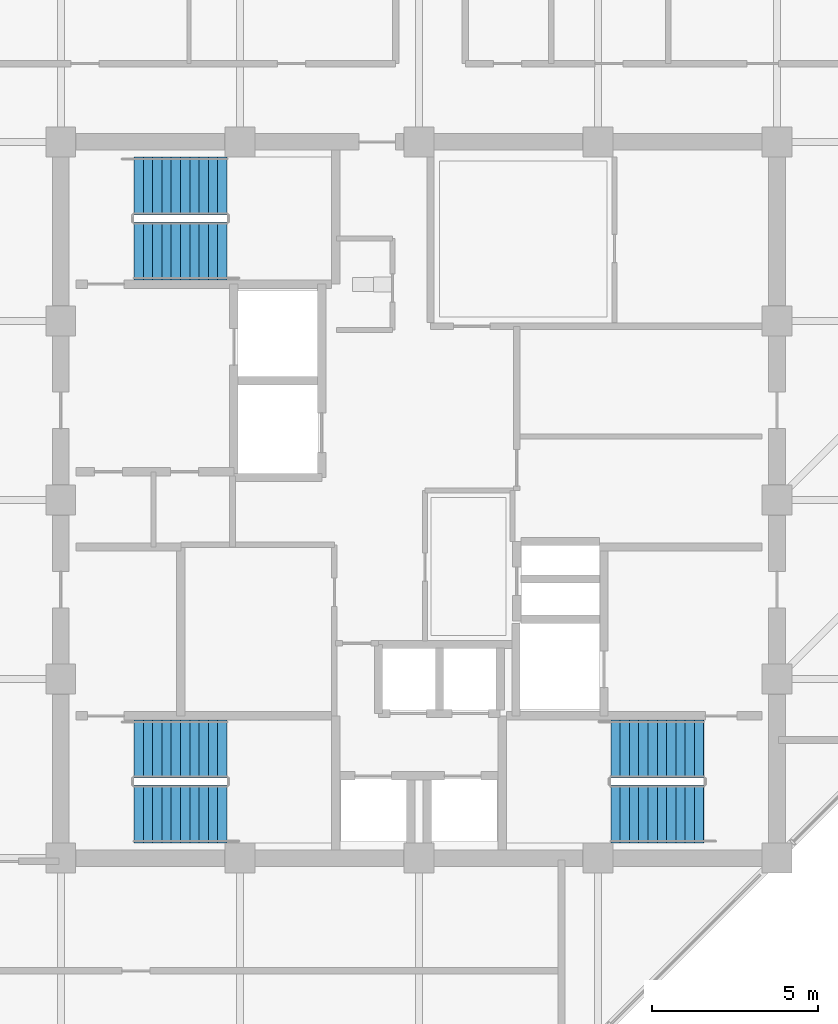
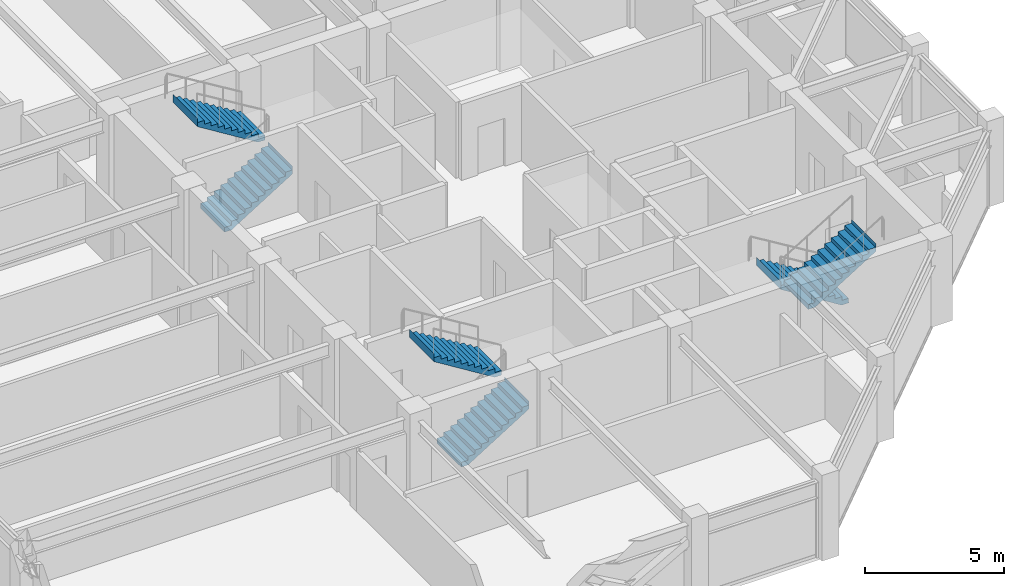
# One storey, part 29 of 31: 6 stair flights, 3 elements without a shape of their own.
"""IFC4 building model written with IfcOpenShell, lengths in metres."""

import ifcopenshell
import ifcopenshell.guid

model = None  # the IFC model being written
_history = None  # IfcOwnerHistory: only IFC2X3 demands one
_inside = {}  # id of a spatial element -> (the spatial element, [elements in it])
_under = {}  # id of a project, library or spatial element -> (it, [spatial elements below it])
_declared = {}  # id of a project -> (the project, [libraries it declares])
_typed = {}  # id of a type object -> (the type object, [elements of that type])
_made_of = {}  # id of a material, layer set ... -> (it, [elements and type objects made of it])


def new_model(schema):
    """Start an empty IFC model of exactly this schema.

    Asked for "IFC4X3", IfcOpenShell would pick the latest addendum, in which some entities
    have other attributes; the version numbers below select the first issue.
    IFC2X3 requires an IfcOwnerHistory on every rooted entity: one is made here for all.
    """
    global model, _history
    if schema == "IFC4X3":
        model = ifcopenshell.file(schema_version=(4, 3, 0, 0))
    else:
        model = ifcopenshell.file(schema=schema)
    _inside.clear()
    _under.clear()
    _declared.clear()
    _typed.clear()
    _made_of.clear()
    _history = None
    if model.schema == "IFC2X3":
        org = make("IfcOrganization", Name="unknown")
        user = make(
            "IfcPersonAndOrganization",
            ThePerson=make("IfcPerson", FamilyName="unknown"),
            TheOrganization=org,
        )
        app = make(
            "IfcApplication",
            ApplicationDeveloper=org,
            Version="unknown",
            ApplicationFullName="unknown",
            ApplicationIdentifier="unknown",
        )
        _history = make(
            "IfcOwnerHistory",
            OwningUser=user,
            OwningApplication=app,
            ChangeAction="ADDED",
            CreationDate=0,
        )
    return model


def make(cls, **values):
    """One entity of the class cls with the attributes given. An attribute that is None is left unset."""
    return model.create_entity(
        cls, **{name: value for name, value in values.items() if value is not None}
    )


def rooted(cls, **values):
    """An entity with a GlobalId (a new one), such as an element, a storey or a relation."""
    return make(cls, GlobalId=ifcopenshell.guid.new(), OwnerHistory=_history, **values)


def si_unit(unit_type, name, prefix=None):
    """IfcSIUnit, for example si_unit("LENGTHUNIT", "METRE", prefix="MILLI")."""
    return make("IfcSIUnit", UnitType=unit_type, Prefix=prefix, Name=name)


def assignment(units):
    """IfcUnitAssignment: the units of a project."""
    return None if units is None else make("IfcUnitAssignment", Units=units)


def point(xyz):
    """IfcCartesianPoint."""
    return None if xyz is None else make("IfcCartesianPoint", Coordinates=xyz)


def direction(xyz):
    """IfcDirection."""
    return None if xyz is None else make("IfcDirection", DirectionRatios=xyz)


def frame(location, z_axis=None, x_axis=None):
    """IfcAxis2Placement3D, a coordinate frame: its origin and axes. An axis left out is left unset."""
    return make(
        "IfcAxis2Placement3D",
        Location=point(location),
        Axis=direction(z_axis),
        RefDirection=direction(x_axis),
    )


def origin():
    """The frame at (0, 0, 0) with its axes left unset."""
    return frame((0.0, 0.0, 0.0))


def place(relative_to, where):
    """IfcLocalPlacement: puts the frame where relative to a parent placement (None: the world)."""
    return make(
        "IfcLocalPlacement", PlacementRelTo=relative_to, RelativePlacement=where
    )


def context(
    kind, dimensions, precision=None, world=None, true_north=None, identifier=None
):
    """IfcGeometricRepresentationContext, for example the 3D "Model" context."""
    return make(
        "IfcGeometricRepresentationContext",
        ContextIdentifier=identifier,
        ContextType=kind,
        CoordinateSpaceDimension=dimensions,
        Precision=precision,
        WorldCoordinateSystem=world,
        TrueNorth=true_north,
    )


def subcontext(parent, identifier, kind, view, scale=None):
    """IfcGeometricRepresentationSubContext, for example "Body" below "Model"."""
    return make(
        "IfcGeometricRepresentationSubContext",
        ContextIdentifier=identifier,
        ContextType=kind,
        ParentContext=parent,
        TargetScale=scale,
        TargetView=view,
    )


def project(units=None, contexts=None):
    """IfcProject with its units and contexts."""
    return rooted(
        "IfcProject",
        Name="project",
        RepresentationContexts=contexts,
        UnitsInContext=assignment(units),
    )


def spatial(cls, under=None, at=None, **own):
    """A site, building, storey or space (cls), placed at a placement, below another one or the project."""
    s = rooted(cls, ObjectPlacement=at, **own)
    if under is not None:
        _under.setdefault(under.id(), (under, []))[1].append(s)
    return s


def polyline(points):
    """IfcPolyline through the points."""
    return make("IfcPolyline", Points=[point(p) for p in points])


def outline(outer, holes=None, kind="AREA"):
    """IfcArbitraryClosedProfileDef: a profile drawn as a closed curve; with holes, ...WithVoids."""
    if holes is None:
        return make("IfcArbitraryClosedProfileDef", ProfileType=kind, OuterCurve=outer)
    return make(
        "IfcArbitraryProfileDefWithVoids",
        ProfileType=kind,
        OuterCurve=outer,
        InnerCurves=holes,
    )


def extrude(swept, where, along, depth):
    """IfcExtrudedAreaSolid: the profile swept, set in the frame where, extruded along a direction by depth."""
    return make(
        "IfcExtrudedAreaSolid",
        SweptArea=swept,
        Position=where,
        ExtrudedDirection=direction(along),
        Depth=depth,
    )


def shape(context_of_items, identifier, shape_type, items):
    """IfcShapeRepresentation: the items that make up one representation, for example the "Body"."""
    return make(
        "IfcShapeRepresentation",
        ContextOfItems=context_of_items,
        RepresentationIdentifier=identifier,
        RepresentationType=shape_type,
        Items=items,
    )


def material(Name=None, Category=None):
    """IfcMaterial."""
    return make("IfcMaterial", Name=Name, Category=Category)


def made_of(thing, what):
    """Note that an element or type object is made of a material, layer set ...; save() writes the relation."""
    if what is not None:
        _made_of.setdefault(what.id(), (what, []))[1].append(thing)
    return thing


def type_object(cls, material=None, **own):
    """A type object (cls), such as IfcWallType, which elements share."""
    return made_of(rooted(cls, **own), material)


def element(
    cls,
    number,
    at=None,
    inside=None,
    cuts=None,
    type_object=None,
    material=None,
    context=None,
    identifier="Body",
    shape_type=None,
    held_by="IfcProductDefinitionShape",
    body=None,
    shapes=None,
    **own,
):
    """One element of the class cls, such as IfcWall. Its Tag is "e" and its number.

    at: its placement. inside: the storey or other place that contains it. cuts: it is an
    opening in that element (IfcRelVoidsElement). A single representation is given by context,
    identifier, shape_type and body (its items); several are given by shapes. held_by: the class
    of the entity that holds the representations. save() writes the other relations.
    """
    e = rooted(cls, Tag="e%d" % number, ObjectPlacement=at, **own)
    if body is not None:
        shapes = [shape(context, identifier, shape_type, body)]
    if shapes is not None:
        e.Representation = make(held_by, Representations=shapes)
    if inside is not None:
        _inside.setdefault(inside.id(), (inside, []))[1].append(e)
    if cuts is not None:
        rooted(
            "IfcRelVoidsElement", RelatingBuildingElement=cuts, RelatedOpeningElement=e
        )
    if type_object is not None:
        _typed.setdefault(type_object.id(), (type_object, []))[1].append(e)
    return made_of(e, material)


def aggregate(whole, parts):
    """IfcRelAggregates: a whole, such as a stair, and the parts it consists of."""
    return rooted("IfcRelAggregates", RelatingObject=whole, RelatedObjects=parts)


def save(model, path):
    """Write the relations noted so far, then the file.

    IfcRelAggregates (storeys below a building ...), IfcRelContainedInSpatialStructure (elements
    in a storey), IfcRelDefinesByType, IfcRelAssociatesMaterial and IfcRelDeclares: one each for
    every whole, place, type object, material and project.
    """
    for whole, parts in _under.values():
        aggregate(whole, parts)
    for where, things in _inside.values():
        rooted(
            "IfcRelContainedInSpatialStructure",
            RelatedElements=things,
            RelatingStructure=where,
        )
    for kind, things in _typed.values():
        rooted("IfcRelDefinesByType", RelatedObjects=things, RelatingType=kind)
    for what, things in _made_of.values():
        rooted("IfcRelAssociatesMaterial", RelatedObjects=things, RelatingMaterial=what)
    for by, libraries in _declared.values():
        rooted("IfcRelDeclares", RelatingContext=by, RelatedDefinitions=libraries)
    model.write(path)


model = new_model("IFC4")

# Units and contexts
model_context = context("Model", 3, precision=1e-05, world=origin(), true_north=direction((0.0, 1.0)))
body_context = subcontext(model_context, "Body", "Model", "MODEL_VIEW")
ifc_project = project(units=[si_unit("LENGTHUNIT", "METRE"), si_unit("AREAUNIT", "SQUARE_METRE"), si_unit("VOLUMEUNIT", "CUBIC_METRE"), si_unit("PLANEANGLEUNIT", "RADIAN"), si_unit("MASSUNIT", "GRAM", prefix="KILO")], contexts=[model_context])

# Site, building, storey
site_placement = place(None, origin())
site = spatial("IfcSite", under=ifc_project, at=site_placement, CompositionType="ELEMENT")
building_placement = place(site_placement, origin())
building = spatial("IfcBuilding", under=site, at=building_placement, Name="Surkhivell Harbour Commons", CompositionType="ELEMENT")
storey_placement = place(building_placement, frame((0.0, 0.0, 333.75)))
storey = spatial("IfcBuildingStorey", under=building, at=storey_placement, Name="L87", CompositionType="ELEMENT", Elevation=333.75)

# Stair, stair flights
ifc_material = material(Name="Precast concrete C45/55", Category="concrete")
stair_type = type_object("IfcStairType", Name="STR-DL-375", PredefinedType="HALF_TURN_STAIR", material=ifc_material)
stair_1_placement = place(storey_placement, origin())
stair_1 = element("IfcStair", 1, at=stair_1_placement, inside=storey, type_object=stair_type, Name="L87 Core Exit Stair ST1", PredefinedType="HALF_TURN_STAIR")
stair_flight_type = type_object("IfcStairFlightType", Name="STF-DL-375", PredefinedType="STRAIGHT", material=ifc_material)
stair_flight_1_placement = place(storey_placement, frame((-8.590087890625, 7.514892578125, 0.0), z_axis=(0.0, 0.0, 1.0), x_axis=(1.0, 0.0, 0.0)))
stair_flight_1 = element("IfcStairFlight", 2, at=stair_flight_1_placement, type_object=stair_flight_type, Name="ST1 flight 1", NumberOfRisers=11, NumberOfTreads=10, PredefinedType="STRAIGHT", RiserHeight=0.170454545, TreadLength=0.28, context=body_context, shape_type="SweptSolid", body=[
    extrude(outline(polyline([(-0.0029296875, -0.034912109375), (-0.0029296875, 0.0), (0.0, 0.0), (0.0, 0.17041015625), (0.280029296875, 0.17041015625), (0.280029296875, 0.3408203125), (0.56005859375, 0.3408203125), (0.56005859375, 0.511474609375), (0.840087890625, 0.511474609375), (0.840087890625, 0.681884765625), (1.1201171875, 0.681884765625), (1.1201171875, 0.852294921875), (1.39990234375, 0.852294921875), (1.39990234375, 1.022705078125), (1.679931640625, 1.022705078125), (1.679931640625, 1.193115234375), (1.9599609375, 1.193115234375), (1.9599609375, 1.363525390625), (2.239990234375, 1.363525390625), (2.239990234375, 1.5341796875), (2.52001953125, 1.5341796875), (2.52001953125, 1.70458984375), (2.800048828125, 1.70458984375), (2.800048828125, 1.875), (2.802978515625, 1.875), (2.802978515625, 1.529052734375), (0.288330078125, -0.034912109375), (-0.0029296875, -0.034912109375)])), frame((0.0, 0.875, 0.0), z_axis=(0.0, -1.0, 0.0), x_axis=(1.0, 0.0, 0.0)), (0.0, 0.0, 1.0), 1.75),
])
stair_flight_2_placement = place(storey_placement, frame((-5.7900390625, 9.465087890625, 1.875), z_axis=(0.0, 0.0, 1.0), x_axis=(-1.0, 0.0, 0.0)))
stair_flight_2 = element("IfcStairFlight", 3, at=stair_flight_2_placement, type_object=stair_flight_type, Name="ST1 flight 2", NumberOfRisers=11, NumberOfTreads=10, PredefinedType="STRAIGHT", RiserHeight=0.170454545, TreadLength=0.28, context=body_context, shape_type="SweptSolid", body=[
    extrude(outline(polyline([(-0.0029296875, -0.034912109375), (-0.0029296875, 0.0), (0.0, 0.0), (0.0, 0.17041015625), (0.280029296875, 0.17041015625), (0.280029296875, 0.3408203125), (0.56005859375, 0.3408203125), (0.56005859375, 0.511474609375), (0.840087890625, 0.511474609375), (0.840087890625, 0.681884765625), (1.1201171875, 0.681884765625), (1.1201171875, 0.852294921875), (1.39990234375, 0.852294921875), (1.39990234375, 1.022705078125), (1.679931640625, 1.022705078125), (1.679931640625, 1.193115234375), (1.9599609375, 1.193115234375), (1.9599609375, 1.363525390625), (2.239990234375, 1.363525390625), (2.239990234375, 1.5341796875), (2.52001953125, 1.5341796875), (2.52001953125, 1.70458984375), (2.800048828125, 1.70458984375), (2.800048828125, 1.875), (2.802978515625, 1.875), (2.802978515625, 1.529052734375), (0.288330078125, -0.034912109375), (-0.0029296875, -0.034912109375)])), frame((0.0, 0.875, 0.0), z_axis=(0.0, -1.0, 0.0), x_axis=(1.0, 0.0, 0.0)), (0.0, 0.0, 1.0), 1.75),
])
aggregate(stair_1, [stair_flight_1, stair_flight_2])

stair_2_placement = place(storey_placement, origin())
stair_2 = element("IfcStair", 4, at=stair_2_placement, inside=storey, type_object=stair_type, Name="L87 Core Exit Stair ST2", PredefinedType="HALF_TURN_STAIR")
stair_flight_3_placement = place(storey_placement, frame((8.590087890625, -7.514892578125, 0.0), z_axis=(0.0, 0.0, 1.0), x_axis=(-1.0, 0.0, 0.0)))
stair_flight_3 = element("IfcStairFlight", 5, at=stair_flight_3_placement, type_object=stair_flight_type, Name="ST2 flight 1", NumberOfRisers=11, NumberOfTreads=10, PredefinedType="STRAIGHT", RiserHeight=0.170454545, TreadLength=0.28, context=body_context, shape_type="SweptSolid", body=[
    extrude(outline(polyline([(-0.0029296875, -0.034912109375), (-0.0029296875, 0.0), (0.0, 0.0), (0.0, 0.17041015625), (0.280029296875, 0.17041015625), (0.280029296875, 0.3408203125), (0.56005859375, 0.3408203125), (0.56005859375, 0.511474609375), (0.840087890625, 0.511474609375), (0.840087890625, 0.681884765625), (1.1201171875, 0.681884765625), (1.1201171875, 0.852294921875), (1.39990234375, 0.852294921875), (1.39990234375, 1.022705078125), (1.679931640625, 1.022705078125), (1.679931640625, 1.193115234375), (1.9599609375, 1.193115234375), (1.9599609375, 1.363525390625), (2.239990234375, 1.363525390625), (2.239990234375, 1.5341796875), (2.52001953125, 1.5341796875), (2.52001953125, 1.70458984375), (2.800048828125, 1.70458984375), (2.800048828125, 1.875), (2.802978515625, 1.875), (2.802978515625, 1.529052734375), (0.288330078125, -0.034912109375), (-0.0029296875, -0.034912109375)])), frame((0.0, 0.875, 0.0), z_axis=(0.0, -1.0, 0.0), x_axis=(1.0, 0.0, 0.0)), (0.0, 0.0, 1.0), 1.75),
])
stair_flight_4_placement = place(storey_placement, frame((5.7900390625, -9.465087890625, 1.875), z_axis=(0.0, 0.0, 1.0), x_axis=(1.0, 0.0, 0.0)))
stair_flight_4 = element("IfcStairFlight", 6, at=stair_flight_4_placement, type_object=stair_flight_type, Name="ST2 flight 2", NumberOfRisers=11, NumberOfTreads=10, PredefinedType="STRAIGHT", RiserHeight=0.170454545, TreadLength=0.28, context=body_context, shape_type="SweptSolid", body=[
    extrude(outline(polyline([(-0.0029296875, -0.034912109375), (-0.0029296875, 0.0), (0.0, 0.0), (0.0, 0.17041015625), (0.280029296875, 0.17041015625), (0.280029296875, 0.3408203125), (0.56005859375, 0.3408203125), (0.56005859375, 0.511474609375), (0.840087890625, 0.511474609375), (0.840087890625, 0.681884765625), (1.1201171875, 0.681884765625), (1.1201171875, 0.852294921875), (1.39990234375, 0.852294921875), (1.39990234375, 1.022705078125), (1.679931640625, 1.022705078125), (1.679931640625, 1.193115234375), (1.9599609375, 1.193115234375), (1.9599609375, 1.363525390625), (2.239990234375, 1.363525390625), (2.239990234375, 1.5341796875), (2.52001953125, 1.5341796875), (2.52001953125, 1.70458984375), (2.800048828125, 1.70458984375), (2.800048828125, 1.875), (2.802978515625, 1.875), (2.802978515625, 1.529052734375), (0.288330078125, -0.034912109375), (-0.0029296875, -0.034912109375)])), frame((0.0, 0.875, 0.0), z_axis=(0.0, -1.0, 0.0), x_axis=(1.0, 0.0, 0.0)), (0.0, 0.0, 1.0), 1.75),
])
aggregate(stair_2, [stair_flight_3, stair_flight_4])

stair_3_placement = place(storey_placement, origin())
stair_3 = element("IfcStair", 7, at=stair_3_placement, inside=storey, type_object=stair_type, Name="L87 Core Exit Stair ST3", PredefinedType="HALF_TURN_STAIR")
stair_flight_5_placement = place(storey_placement, frame((-8.590087890625, -9.465087890625, 0.0), z_axis=(0.0, 0.0, 1.0), x_axis=(1.0, 0.0, 0.0)))
stair_flight_5 = element("IfcStairFlight", 8, at=stair_flight_5_placement, type_object=stair_flight_type, Name="ST3 flight 1", NumberOfRisers=11, NumberOfTreads=10, PredefinedType="STRAIGHT", RiserHeight=0.170454545, TreadLength=0.28, context=body_context, shape_type="SweptSolid", body=[
    extrude(outline(polyline([(-0.0029296875, -0.034912109375), (-0.0029296875, 0.0), (0.0, 0.0), (0.0, 0.17041015625), (0.280029296875, 0.17041015625), (0.280029296875, 0.3408203125), (0.56005859375, 0.3408203125), (0.56005859375, 0.511474609375), (0.840087890625, 0.511474609375), (0.840087890625, 0.681884765625), (1.1201171875, 0.681884765625), (1.1201171875, 0.852294921875), (1.39990234375, 0.852294921875), (1.39990234375, 1.022705078125), (1.679931640625, 1.022705078125), (1.679931640625, 1.193115234375), (1.9599609375, 1.193115234375), (1.9599609375, 1.363525390625), (2.239990234375, 1.363525390625), (2.239990234375, 1.5341796875), (2.52001953125, 1.5341796875), (2.52001953125, 1.70458984375), (2.800048828125, 1.70458984375), (2.800048828125, 1.875), (2.802978515625, 1.875), (2.802978515625, 1.529052734375), (0.288330078125, -0.034912109375), (-0.0029296875, -0.034912109375)])), frame((0.0, 0.875, 0.0), z_axis=(0.0, -1.0, 0.0), x_axis=(1.0, 0.0, 0.0)), (0.0, 0.0, 1.0), 1.75),
])
stair_flight_6_placement = place(storey_placement, frame((-5.7900390625, -7.514892578125, 1.875), z_axis=(0.0, 0.0, 1.0), x_axis=(-1.0, 0.0, 0.0)))
stair_flight_6 = element("IfcStairFlight", 9, at=stair_flight_6_placement, type_object=stair_flight_type, Name="ST3 flight 2", NumberOfRisers=11, NumberOfTreads=10, PredefinedType="STRAIGHT", RiserHeight=0.170454545, TreadLength=0.28, context=body_context, shape_type="SweptSolid", body=[
    extrude(outline(polyline([(-0.0029296875, -0.034912109375), (-0.0029296875, 0.0), (0.0, 0.0), (0.0, 0.17041015625), (0.280029296875, 0.17041015625), (0.280029296875, 0.3408203125), (0.56005859375, 0.3408203125), (0.56005859375, 0.511474609375), (0.840087890625, 0.511474609375), (0.840087890625, 0.681884765625), (1.1201171875, 0.681884765625), (1.1201171875, 0.852294921875), (1.39990234375, 0.852294921875), (1.39990234375, 1.022705078125), (1.679931640625, 1.022705078125), (1.679931640625, 1.193115234375), (1.9599609375, 1.193115234375), (1.9599609375, 1.363525390625), (2.239990234375, 1.363525390625), (2.239990234375, 1.5341796875), (2.52001953125, 1.5341796875), (2.52001953125, 1.70458984375), (2.800048828125, 1.70458984375), (2.800048828125, 1.875), (2.802978515625, 1.875), (2.802978515625, 1.529052734375), (0.288330078125, -0.034912109375), (-0.0029296875, -0.034912109375)])), frame((0.0, 0.875, 0.0), z_axis=(0.0, -1.0, 0.0), x_axis=(1.0, 0.0, 0.0)), (0.0, 0.0, 1.0), 1.75),
])
aggregate(stair_3, [stair_flight_5, stair_flight_6])

save(model, "model.ifc")
